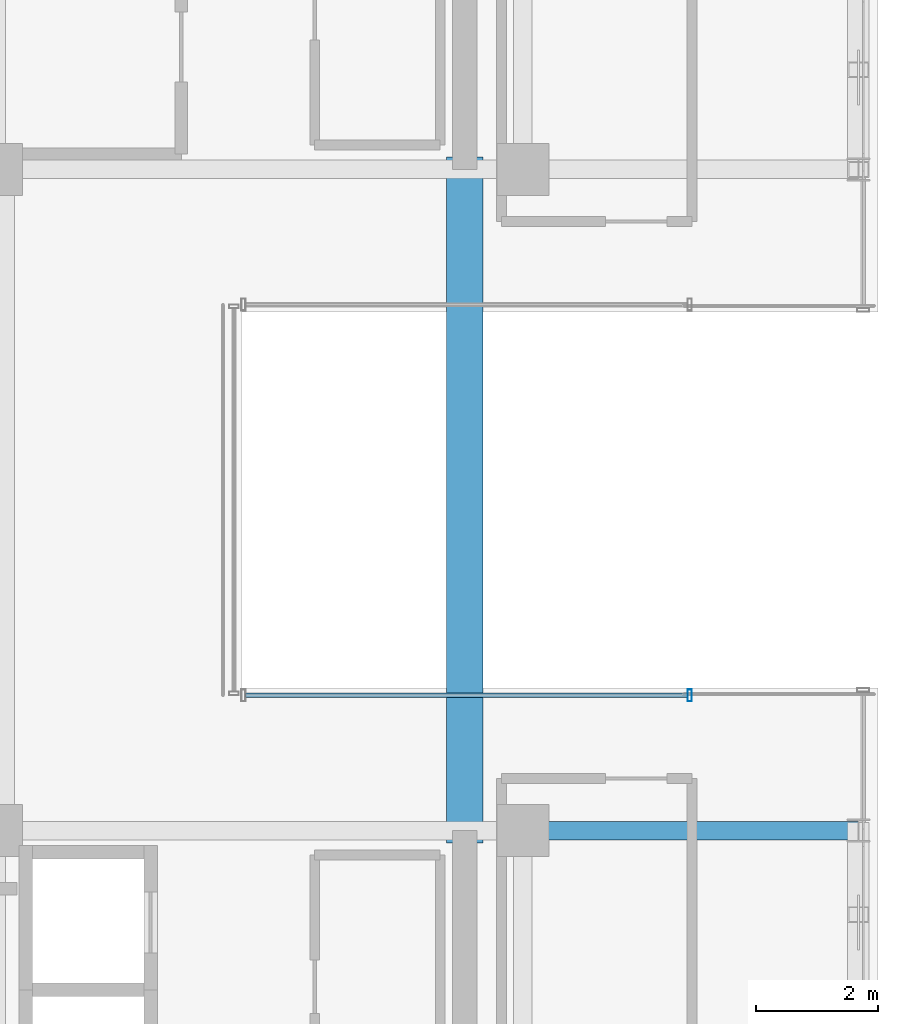
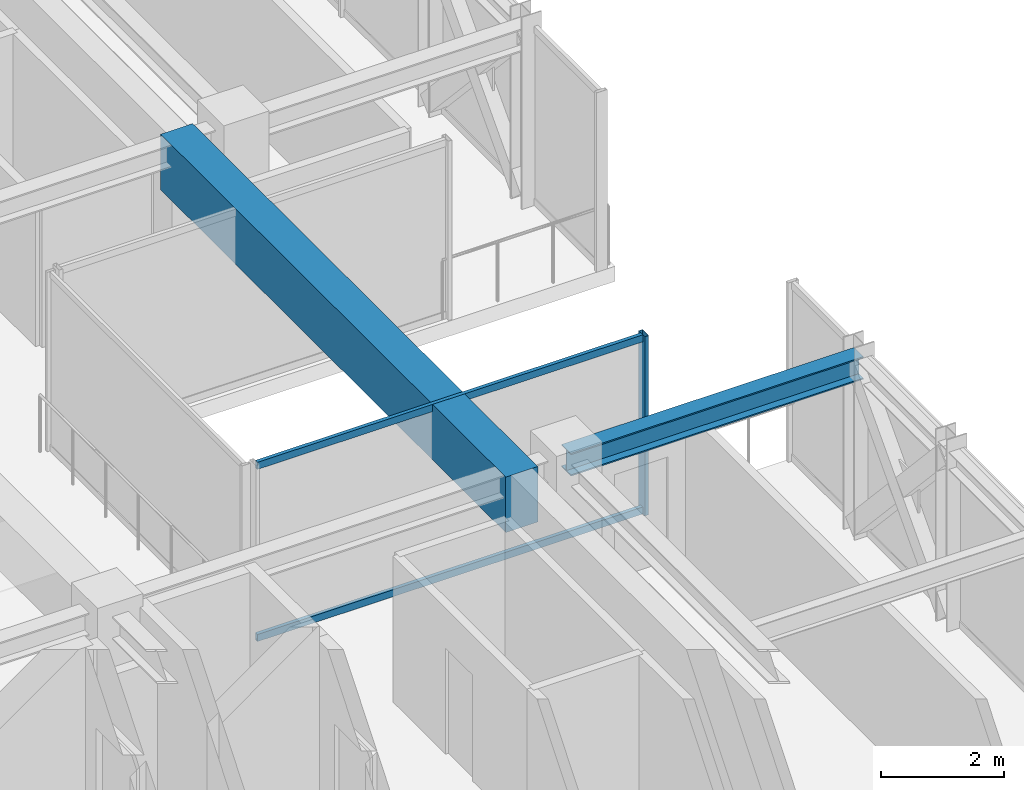
# One storey, part 20 of 40: 3 members, 2 beams, 1 element without a shape of its own.
"""IFC4 building model written with IfcOpenShell, lengths in metres."""

from ifc_helpers import new_model, si_unit, direction, frame, origin, origin_2d, place, context, subcontext, project, spatial, rectangle, hollow_rectangle, i_section, extrude, source, transform, mapped, material, material_profile, profile_set, type_object, element, aggregate, save


model = new_model("IFC4")

# Units and contexts
model_context = context("Model", 3, precision=1e-05, world=origin(), true_north=direction((0.0, 1.0)))
body_context = subcontext(model_context, "Body", "Model", "MODEL_VIEW")
ifc_project = project(units=[si_unit("LENGTHUNIT", "METRE"), si_unit("AREAUNIT", "SQUARE_METRE"), si_unit("VOLUMEUNIT", "CUBIC_METRE"), si_unit("PLANEANGLEUNIT", "RADIAN"), si_unit("MASSUNIT", "GRAM", prefix="KILO")], contexts=[model_context])

# Site, building, storey
site_placement = place(None, origin())
site = spatial("IfcSite", under=ifc_project, at=site_placement, CompositionType="ELEMENT")
building_placement = place(site_placement, origin())
building = spatial("IfcBuilding", under=site, at=building_placement, Name="Nahalor Promenade Grand Hotel", CompositionType="ELEMENT")
storey_placement = place(building_placement, frame((0.0, 0.0, 288.800048828125)))
storey = spatial("IfcBuildingStorey", under=building, at=storey_placement, Name="L74", CompositionType="ELEMENT", Elevation=288.800048828125)

# Beams
ifc_material_1 = material(Name="Concrete B-60 (C50/60)", Category="concrete")
ifc_material_profile_1 = material_profile(ifc_material_1, rectangle(XDim=0.6, YDim=1.1, at=origin_2d()), Name="RC 600x1100")
ifc_profile_set_1 = profile_set([ifc_material_profile_1], Name="Concrete B-60 (C50/60)")
beam_type_1 = type_object("IfcBeamType", Name="Beam-Lintel-RC1100", PredefinedType="LINTEL", material=ifc_profile_set_1)
shared_shape_1 = source(origin(), body_context, "Body", "SweptSolid", [
    extrude(rectangle(XDim=0.6, YDim=1.1, at=origin_2d()), origin(), (0.0, 0.0, 1.0), 11.2001953125),
])
beam_1_placement = place(storey_placement, frame((16.050048828125, -5.60009765625, 3.0), z_axis=(0.0, 1.0, 0.0), x_axis=(-1.0, 0.0, 0.0)))
element("IfcBeam", 1, at=beam_1_placement, inside=storey, type_object=beam_type_1, Name="BM-L74-LINT-E", PredefinedType="LINTEL", context=body_context, shape_type="MappedRepresentation", body=[
    mapped(shared_shape_1, transform((0.0, 0.0, 0.0), scale=1.0)),
])
ifc_material_2 = material(Name="Steel S355JR", Category="steel")
ifc_material_profile_2 = material_profile(ifc_material_2, i_section(OverallWidth=0.3, OverallDepth=0.45, WebThickness=0.014, FlangeThickness=0.026, at=origin_2d()), Name="HEB 450")
ifc_profile_set_2 = profile_set([ifc_material_profile_2], Name="Steel S355JR")
beam_type_2 = type_object("IfcBeamType", Name="Beam-Girder-HEB450", PredefinedType="BEAM", material=ifc_profile_set_2)
shared_shape_2 = source(origin(), body_context, "Body", "SweptSolid", [
    extrude(i_section(OverallWidth=0.3, OverallDepth=0.45, WebThickness=0.014, FlangeThickness=0.026, at=origin_2d()), origin(), (0.0, 0.0, 1.0), 5.47998046875),
])
beam_2_placement = place(storey_placement, frame((17.0, -5.39990234375, 3.324951171875), z_axis=(1.0, 0.0, 0.0), x_axis=(0.0, 1.0, 0.0)))
element("IfcBeam", 2, at=beam_2_placement, inside=storey, type_object=beam_type_2, Name="BM-L74-GX-1-6", PredefinedType="BEAM", context=body_context, shape_type="MappedRepresentation", body=[
    mapped(shared_shape_2, transform((0.0, 0.0, 0.0), scale=1.0)),
])

# Curtain wall, members
ifc_material_3 = material(Name="Anodised Bronze Aluminium EN AW-6063 T6", Category="aluminium")
curtain_wall_type = type_object("IfcCurtainWallType", Name="CW3 Elliptical-Void Collar Unitised Curtain Wall", PredefinedType="USERDEFINED", material=ifc_material_3)
curtain_wall_placement = place(storey_placement, origin())
curtain_wall = element("IfcCurtainWall", 3, at=curtain_wall_placement, inside=storey, type_object=curtain_wall_type, Name="L74 Curtain Wall CW-L74-VOID-ES1", ObjectType="UNITISED_CURTAIN_WALL", PredefinedType="USERDEFINED")
ifc_material_profile_3 = material_profile(ifc_material_3, hollow_rectangle(XDim=0.07, YDim=0.14, WallThickness=0.004, at=origin_2d()), Name="CWT 70x140x4")
ifc_profile_set_3 = profile_set([ifc_material_profile_3], Name="Anodised Bronze Aluminium EN AW-6063 T6")
member_type_1 = type_object("IfcMemberType", Name="CWT3 Void Collar Transom 70x140", PredefinedType="USERDEFINED", material=ifc_profile_set_3)
shared_shape_3 = source(origin(), body_context, "Body", "SweptSolid", [
    extrude(hollow_rectangle(XDim=0.07, YDim=0.14, WallThickness=0.004, at=origin_2d()), origin(), (0.0, 0.0, 1.0), 7.219970703125),
])
member_1_placement = place(storey_placement, frame((12.469970703125, -3.19091796875, 0.070068359375), z_axis=(1.0, 0.0, 0.0), x_axis=(0.0, 1.0, 0.0)))
member_1 = element("IfcMember", 4, at=member_1_placement, type_object=member_type_1, Name="CW-L74-VOID-ES1 Transom 0-0", ObjectType="TRANSOM", PredefinedType="USERDEFINED", context=body_context, shape_type="MappedRepresentation", body=[
    mapped(shared_shape_3, transform((0.0, 0.0, 0.0), scale=1.0)),
])
member_2_placement = place(storey_placement, frame((12.469970703125, -3.19091796875, 3.47998046875), z_axis=(1.0, 0.0, 0.0), x_axis=(0.0, 1.0, 0.0)))
member_2 = element("IfcMember", 5, at=member_2_placement, type_object=member_type_1, Name="CW-L74-VOID-ES1 Transom 0-1", ObjectType="TRANSOM", PredefinedType="USERDEFINED", context=body_context, shape_type="MappedRepresentation", body=[
    mapped(shared_shape_3, transform((0.0, 0.0, 0.0), scale=1.0)),
])
ifc_material_profile_4 = material_profile(ifc_material_3, hollow_rectangle(XDim=0.07, YDim=0.2, WallThickness=0.005, at=origin_2d()), Name="CWM 70x200x5")
ifc_profile_set_4 = profile_set([ifc_material_profile_4], Name="Anodised Bronze Aluminium EN AW-6063 T6")
member_type_2 = type_object("IfcMemberType", Name="CWM3 Void Collar Mullion 70x200", PredefinedType="MULLION", material=ifc_profile_set_4)
shared_shape_4 = source(origin(), body_context, "Body", "SweptSolid", [
    extrude(hollow_rectangle(XDim=0.07, YDim=0.2, WallThickness=0.005, at=origin_2d()), origin(), (0.0, 0.0, 1.0), 3.550048828125),
])
member_3_placement = place(storey_placement, frame((19.72509765625, -3.19091796875, 0.0), z_axis=(0.0, 0.0, 1.0), x_axis=(1.0, 0.0, 0.0)))
member_3 = element("IfcMember", 6, at=member_3_placement, type_object=member_type_2, Name="CW-L74-VOID-ES1 Mullion 1", PredefinedType="MULLION", context=body_context, shape_type="MappedRepresentation", body=[
    mapped(shared_shape_4, transform((0.0, 0.0, 0.0), scale=1.0)),
])
aggregate(curtain_wall, [member_3, member_1, member_2])

save(model, "model.ifc")
